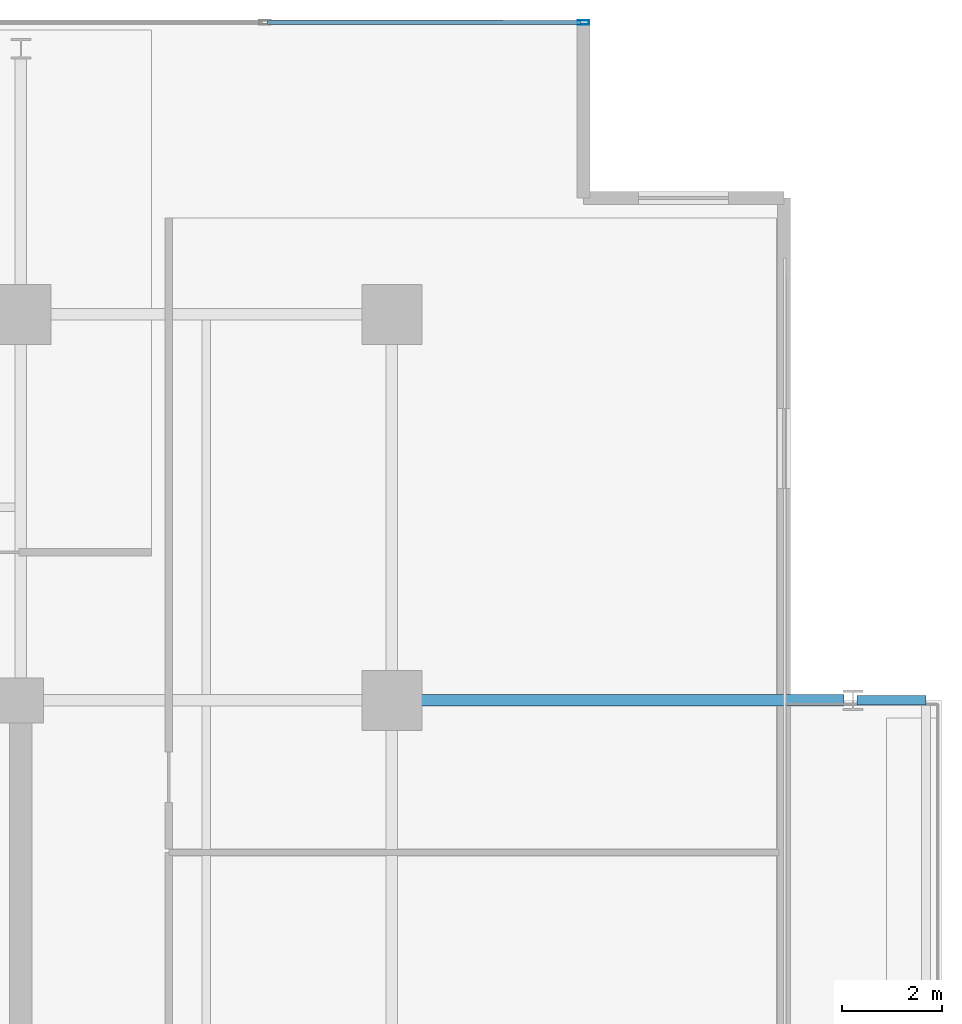
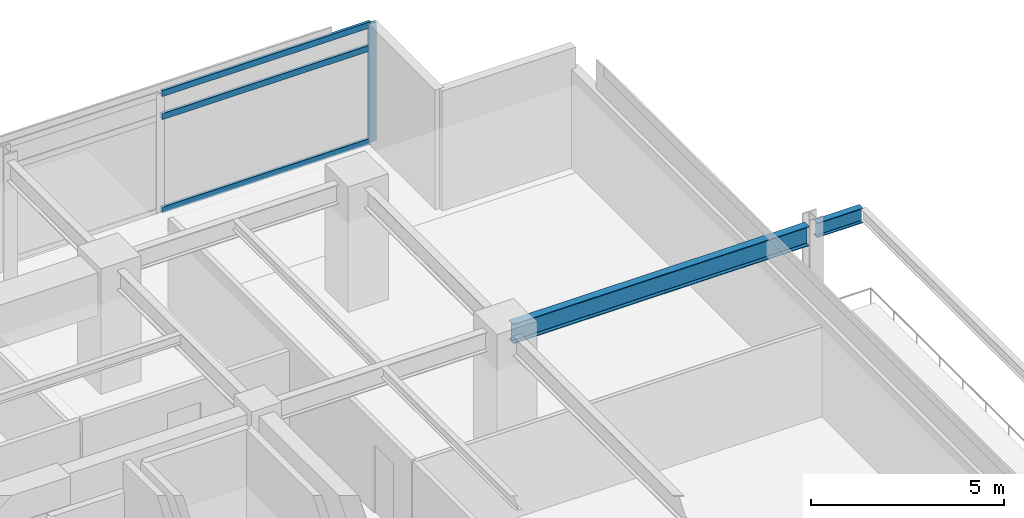
# One storey, part 14 of 23: 4 members, 2 beams, 1 element without a shape of its own.
"""IFC4 building model written with IfcOpenShell, lengths in metres."""

from ifc_helpers import new_model, si_unit, direction, frame, origin, origin_2d, place, context, subcontext, project, spatial, hollow_rectangle, i_section, extrude, material, material_profile, profile_set, type_object, element, aggregate, save


model = new_model("IFC4")

# Units and contexts
model_context = context("Model", 3, precision=1e-05, world=origin(), true_north=direction((0.0, 1.0)))
body_context = subcontext(model_context, "Body", "Model", "MODEL_VIEW")
ifc_project = project(units=[si_unit("LENGTHUNIT", "METRE"), si_unit("AREAUNIT", "SQUARE_METRE"), si_unit("VOLUMEUNIT", "CUBIC_METRE"), si_unit("PLANEANGLEUNIT", "RADIAN"), si_unit("MASSUNIT", "GRAM", prefix="KILO")], contexts=[model_context])

# Site, building, storey
site_placement = place(None, origin())
site = spatial("IfcSite", under=ifc_project, at=site_placement, CompositionType="ELEMENT")
building_placement = place(site_placement, origin())
building = spatial("IfcBuilding", under=site, at=building_placement, Name="Kovane Verandah Tower", CompositionType="ELEMENT")
storey_placement = place(building_placement, frame((0.0, 0.0, 267.199951171875)))
storey = spatial("IfcBuildingStorey", under=building, at=storey_placement, Name="L62", CompositionType="ELEMENT", Elevation=267.199951171875)

# Beam
ifc_material_1 = material(Name="Steel S355", Category="steel")
ifc_material_profile_1 = material_profile(ifc_material_1, i_section(OverallWidth=0.230224609375, OverallDepth=0.6171875, WebThickness=0.01318359375, FlangeThickness=0.022216796875, FilletRadius=0.0126953125, at=origin_2d()), Name="UB610x229x140")
ifc_profile_set_1 = profile_set([ifc_material_profile_1], Name="Steel S355")
beam_type_1 = type_object("IfcBeamType", Name="BM-UB610x140", PredefinedType="BEAM", material=ifc_profile_set_1)
beam_1_placement = place(storey_placement, frame((58.580078125, 36.5, 3.451416015625), z_axis=(1.0, 0.0, 0.0), x_axis=(0.0, 1.0, 0.0)))
element("IfcBeam", 1, at=beam_1_placement, inside=storey, type_object=beam_type_1, Name="L62 Primary Tower Girder G-VE2", PredefinedType="BEAM", context=body_context, shape_type="SweptSolid", body=[
    extrude(i_section(OverallWidth=0.230224609375, OverallDepth=0.6171875, WebThickness=0.01318359375, FlangeThickness=0.022216796875, FilletRadius=0.0126953125, at=origin_2d()), origin(), (0.0, 0.0, 1.0), 8.83984375),
])

# Curtain wall, members
ifc_material_2 = material(Name="Champagne Anodised Aluminium Frame with Low-E Clear Laminated Glass", Category="aluminium")
curtain_wall_type = type_object("IfcCurtainWallType", Name="CW-SYS-05-HIGH", PredefinedType="NOTDEFINED", material=ifc_material_2)
curtain_wall_placement = place(storey_placement, origin())
curtain_wall = element("IfcCurtainWall", 2, at=curtain_wall_placement, inside=storey, type_object=curtain_wall_type, Name="L62 N Unitised Curtain Wall", PredefinedType="NOTDEFINED")
ifc_material_3 = material(Name="Champagne Anodised Aluminium 6063-T6", Category="aluminium")
ifc_material_profile_2 = material_profile(ifc_material_3, hollow_rectangle(XDim=0.0849609375, YDim=0.22998046875, WallThickness=0.00390625, at=origin_2d()), Name="AL85x230x4")
ifc_profile_set_2 = profile_set([ifc_material_profile_2], Name="Champagne Anodised Aluminium 6063-T6")
member_type_1 = type_object("IfcMemberType", Name="CW-MUL-85x230", PredefinedType="MULLION", material=ifc_profile_set_2)
member_1_placement = place(storey_placement, frame((62.220703125, 50.0234375, 0.02001953125), z_axis=(0.0, 0.0, 1.0), x_axis=(0.0, 1.0, 0.0)))
member_1 = element("IfcMember", 3, at=member_1_placement, type_object=member_type_1, Name="L62 N Unitised Curtain Wall Mullion 1", PredefinedType="MULLION", context=body_context, shape_type="SweptSolid", body=[
    extrude(hollow_rectangle(XDim=0.0849609375, YDim=0.22998046875, WallThickness=0.00390625, at=origin_2d()), origin(), (0.0, 0.0, 1.0), 3.7451171875),
])
ifc_material_profile_3 = material_profile(ifc_material_3, hollow_rectangle(XDim=0.0849609375, YDim=0.18994140625, WallThickness=0.00390625, at=origin_2d()), Name="AL85x190x4")
ifc_profile_set_3 = profile_set([ifc_material_profile_3], Name="Champagne Anodised Aluminium 6063-T6")
member_type_2 = type_object("IfcMemberType", Name="CW-TRN-85x190", PredefinedType="USERDEFINED", material=ifc_profile_set_3)
member_2_placement = place(storey_placement, frame((62.170654296875, 50.0234375, 0.050048828125), z_axis=(-1.0, 0.0, 0.0), x_axis=(0.0, -1.0, 0.0)))
member_2 = element("IfcMember", 4, at=member_2_placement, type_object=member_type_2, Name="L62 N Unitised Curtain Wall Transom TB Bay 1", ObjectType="TRANSOM", PredefinedType="USERDEFINED", context=body_context, shape_type="SweptSolid", body=[
    extrude(hollow_rectangle(XDim=0.0849609375, YDim=0.18994140625, WallThickness=0.00390625, at=origin_2d()), origin(), (0.0, 0.0, 1.0), 6.248779296875),
])
member_3_placement = place(storey_placement, frame((62.170654296875, 50.0234375, 3.005126953125), z_axis=(-1.0, 0.0, 0.0), x_axis=(0.0, -1.0, 0.0)))
member_3 = element("IfcMember", 5, at=member_3_placement, type_object=member_type_2, Name="L62 N Unitised Curtain Wall Transom TM Bay 1", ObjectType="TRANSOM", PredefinedType="USERDEFINED", context=body_context, shape_type="SweptSolid", body=[
    extrude(hollow_rectangle(XDim=0.0849609375, YDim=0.18994140625, WallThickness=0.00390625, at=origin_2d()), origin(), (0.0, 0.0, 1.0), 6.248779296875),
])
member_4_placement = place(storey_placement, frame((62.170654296875, 50.0234375, 3.735107421875), z_axis=(-1.0, 0.0, 0.0), x_axis=(0.0, -1.0, 0.0)))
member_4 = element("IfcMember", 6, at=member_4_placement, type_object=member_type_2, Name="L62 N Unitised Curtain Wall Transom TT Bay 1", ObjectType="TRANSOM", PredefinedType="USERDEFINED", context=body_context, shape_type="SweptSolid", body=[
    extrude(hollow_rectangle(XDim=0.0849609375, YDim=0.18994140625, WallThickness=0.00390625, at=origin_2d()), origin(), (0.0, 0.0, 1.0), 6.248779296875),
])
aggregate(curtain_wall, [member_1, member_2, member_3, member_4])

# Beam
ifc_material_profile_4 = material_profile(ifc_material_1, i_section(OverallWidth=0.19287109375, OverallDepth=0.46728515625, WebThickness=0.011474609375, FlangeThickness=0.01953125, FilletRadius=0.01025390625, at=origin_2d()), Name="UB457x191x98")
ifc_profile_set_4 = profile_set([ifc_material_profile_4], Name="Steel S355")
beam_type_2 = type_object("IfcBeamType", Name="JST-UB457x98", PredefinedType="JOIST", material=ifc_profile_set_4)
beam_2_placement = place(storey_placement, frame((67.679931640625, 36.5, 3.5263671875), z_axis=(1.0, 0.0, 0.0), x_axis=(0.0, 1.0, 0.0)))
element("IfcBeam", 7, at=beam_2_placement, inside=storey, type_object=beam_type_2, Name="L62 East Planter Girder 2", PredefinedType="JOIST", context=body_context, shape_type="SweptSolid", body=[
    extrude(i_section(OverallWidth=0.19287109375, OverallDepth=0.46728515625, WebThickness=0.011474609375, FlangeThickness=0.01953125, FilletRadius=0.01025390625, at=origin_2d()), origin(), (0.0, 0.0, 1.0), 1.377197265625),
])

save(model, "model.ifc")
